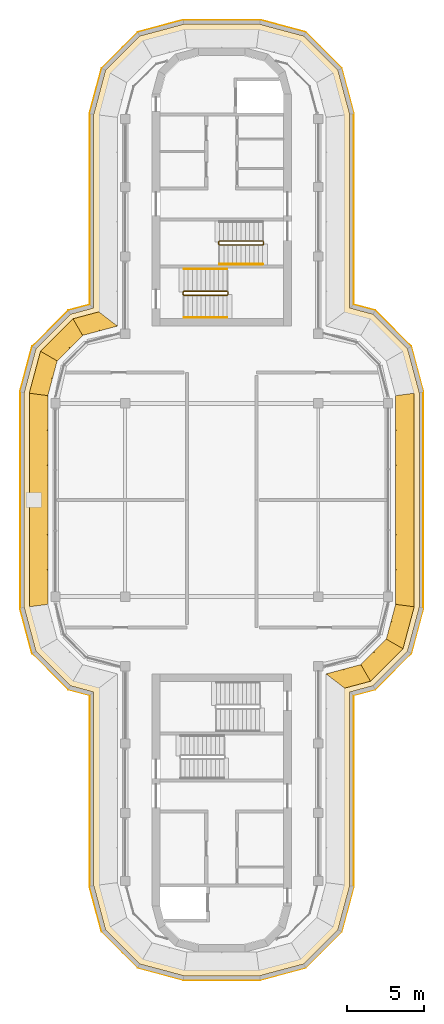
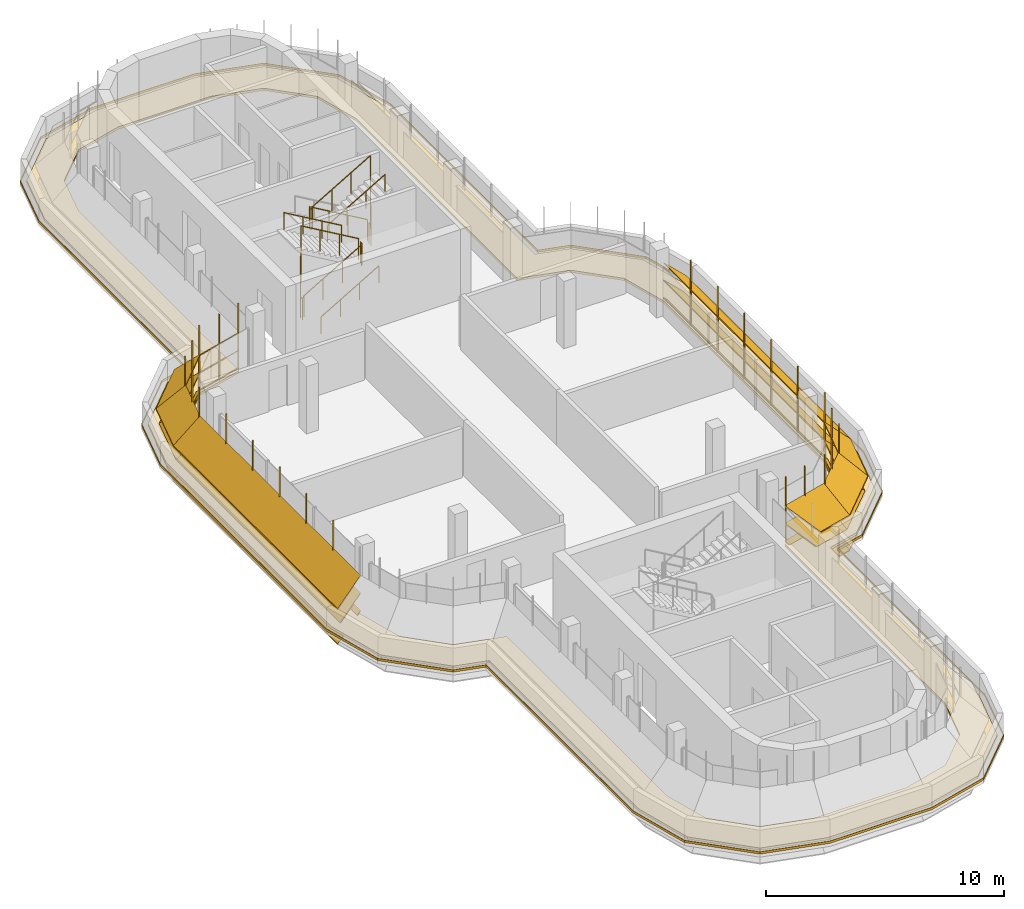
# One storey, part 12 of 13: 5 railings, 4 shading devices, 2 coverings.
"""IFC4 building model written with IfcOpenShell, lengths in metres."""

from ifc_helpers import new_model, si_unit, direction, frame, origin, origin_2d, place, context, subcontext, project, spatial, polyline, circle, outline, extrude, faceted_brep, source, transform, mapped, material, layer, layer_set, type_object, element, save


model = new_model("IFC4")

# Units and contexts
model_context = context("Model", 3, precision=1e-05, world=origin(), true_north=direction((0.0, 1.0)))
body_context = subcontext(model_context, "Body", "Model", "MODEL_VIEW")
ifc_project = project(units=[si_unit("LENGTHUNIT", "METRE"), si_unit("AREAUNIT", "SQUARE_METRE"), si_unit("VOLUMEUNIT", "CUBIC_METRE"), si_unit("PLANEANGLEUNIT", "RADIAN"), si_unit("MASSUNIT", "GRAM", prefix="KILO")], contexts=[model_context])

# Site, building, storey
site_placement = place(None, origin())
site = spatial("IfcSite", under=ifc_project, at=site_placement, CompositionType="ELEMENT")
building_placement = place(site_placement, origin())
building = spatial("IfcBuilding", under=site, at=building_placement, Name="Zarbagh Exchange Tower", CompositionType="ELEMENT")
storey_placement = place(building_placement, frame((0.0, 0.0, 302.39990234375)))
storey = spatial("IfcBuildingStorey", under=building, at=storey_placement, Name="L74", CompositionType="ELEMENT", Elevation=302.39990234375)

# Railings
ifc_material_1 = material(Name="Stainless steel", Category="steel")
railing_type_1 = type_object("IfcRailingType", Name="Stair guard 1100 mm", PredefinedType="GUARDRAIL", material=ifc_material_1)
railing_1_placement = place(storey_placement, frame((2.64990234375, 16.75, 0.163818359375)))
element("IfcRailing", 1, at=railing_1_placement, inside=storey, type_object=railing_type_1, Name="ST1 stair guard 1", PredefinedType="GUARDRAIL", context=body_context, shape_type="SweptSolid", body=[
    extrude(circle(Radius=0.02392578125, at=origin_2d()), frame((0.0, 0.0, 1.076171875), z_axis=(-0.863374499697, 0.0, 0.504563646405), x_axis=(0.0, -1.0, 0.0)), (0.0, 0.0, 1.0), 3.242919921875),
    extrude(circle(Radius=0.02392578125, at=origin_2d()), frame((-2.7998046875, 0.0, 2.71240234375), z_axis=(-0.707106781187, -0.707106781187, 0.0), x_axis=(0.707106781187, -0.707106781187, 0.0)), (0.0, 0.0, 1.0), 0.07080078125),
    extrude(circle(Radius=0.02392578125, at=origin_2d()), frame((-2.849853515625, -0.050048828125, 2.71240234375), z_axis=(0.0, -1.0, 0.0), x_axis=(1.0, 0.0, 0.0)), (0.0, 0.0, 1.0), 0.14990234375),
    extrude(circle(Radius=0.02392578125, at=origin_2d()), frame((-2.849853515625, -0.199951171875, 2.71240234375), z_axis=(0.280808744504, -0.280808744504, 0.917765164963), x_axis=(0.707106781187, 0.707106781187, 0.0)), (0.0, 0.0, 1.0), 0.17822265625),
    extrude(circle(Radius=0.02392578125, at=origin_2d()), frame((-2.7998046875, -0.25, 2.8759765625), z_axis=(0.863341702679, 0.0, 0.504619762213), x_axis=(0.0, 1.0, 0.0)), (0.0, 0.0, 1.0), 3.242919921875),
    extrude(circle(Radius=0.02392578125, at=origin_2d()), frame((0.0, -0.25, 4.51220703125), z_axis=(0.013899389096, 0.013899389096, -0.999806788317), x_axis=(-0.707106781187, 0.707106781187, 0.0)), (0.0, 0.0, 1.0), 3.600830078125),
    extrude(circle(Radius=0.02392578125, at=origin_2d()), frame((0.050048828125, -0.199951171875, 0.912109375), z_axis=(0.0, 1.0, 0.0), x_axis=(-1.0, 0.0, 0.0)), (0.0, 0.0, 1.0), 0.14990234375),
    extrude(circle(Radius=0.02099609375, at=origin_2d()), origin(), (0.0, 0.0, 1.0), 1.052001953125),
    extrude(circle(Radius=0.02099609375, at=origin_2d()), frame((-0.933349609375, 0.0, 0.54541015625)), (0.0, 0.0, 1.0), 1.052001953125),
    extrude(circle(Radius=0.02099609375, at=origin_2d()), frame((-1.866455078125, 0.0, 1.0908203125)), (0.0, 0.0, 1.0), 1.052001953125),
    extrude(circle(Radius=0.02099609375, at=origin_2d()), frame((-2.7998046875, 0.0, 1.63623046875)), (0.0, 0.0, 1.0), 1.052001953125),
    extrude(circle(Radius=0.02099609375, at=origin_2d()), frame((-2.849853515625, -0.050048828125, 1.63623046875)), (0.0, 0.0, 1.0), 1.052001953125),
    extrude(circle(Radius=0.02099609375, at=origin_2d()), frame((-2.849853515625, -0.199951171875, 1.63623046875)), (0.0, 0.0, 1.0), 1.052001953125),
    extrude(circle(Radius=0.02099609375, at=origin_2d()), frame((-2.7998046875, -0.25, 1.7998046875)), (0.0, 0.0, 1.0), 1.052001953125),
    extrude(circle(Radius=0.02099609375, at=origin_2d()), frame((-1.866455078125, -0.25, 2.34521484375)), (0.0, 0.0, 1.0), 1.052001953125),
    extrude(circle(Radius=0.02099609375, at=origin_2d()), frame((-0.933349609375, -0.25, 2.890869140625)), (0.0, 0.0, 1.0), 1.052001953125),
    extrude(circle(Radius=0.02099609375, at=origin_2d()), frame((0.0, -0.25, 3.436279296875)), (0.0, 0.0, 1.0), 1.052001953125),
    extrude(circle(Radius=0.02099609375, at=origin_2d()), frame((0.012451171875, -0.237548828125, 2.5361328125)), (0.0, 0.0, 1.0), 1.052001953125),
    extrude(circle(Radius=0.02099609375, at=origin_2d()), frame((0.02490234375, -0.22509765625, 1.63623046875)), (0.0, 0.0, 1.0), 1.052001953125),
    extrude(circle(Radius=0.02099609375, at=origin_2d()), frame((0.03759765625, -0.21240234375, 0.736328125)), (0.0, 0.0, 1.0), 1.052001953125),
    extrude(circle(Radius=0.02099609375, at=origin_2d()), frame((0.050048828125, -0.199951171875, -0.163818359375)), (0.0, 0.0, 1.0), 1.052001953125),
    extrude(circle(Radius=0.02099609375, at=origin_2d()), frame((0.050048828125, -0.050048828125, -0.163818359375)), (0.0, 0.0, 1.0), 1.052001953125),
])
railing_2_placement = place(storey_placement, frame((0.35009765625, 13.5, 1.963623046875)))
element("IfcRailing", 2, at=railing_2_placement, inside=storey, type_object=railing_type_1, Name="ST2 stair guard 1", PredefinedType="GUARDRAIL", context=body_context, shape_type="SweptSolid", body=[
    extrude(circle(Radius=0.02392578125, at=origin_2d()), frame((0.0, 0.0, 1.076171875), z_axis=(-0.863360870873, 0.0, 0.504586966384), x_axis=(0.0, -1.0, 0.0)), (0.0, 0.0, 1.0), 3.2431640625),
    extrude(circle(Radius=0.02392578125, at=origin_2d()), frame((-2.800048828125, 0.0, 2.71240234375), z_axis=(-0.013899389096, -0.013899389096, -0.999806788317), x_axis=(0.707106781187, -0.707106781187, 0.0)), (0.0, 0.0, 1.0), 3.600830078125),
    extrude(circle(Radius=0.02392578125, at=origin_2d()), frame((-2.85009765625, -0.050048828125, -0.8876953125), z_axis=(0.0, -1.0, 0.0), x_axis=(1.0, 0.0, 0.0)), (0.0, 0.0, 1.0), 0.14990234375),
    extrude(circle(Radius=0.02392578125, at=origin_2d()), frame((-2.85009765625, -0.199951171875, -0.8876953125), z_axis=(0.280456126637, -0.280456126637, 0.917980785237), x_axis=(0.707106781187, 0.707106781187, 0.0)), (0.0, 0.0, 1.0), 0.178466796875),
    extrude(circle(Radius=0.02392578125, at=origin_2d()), frame((-2.800048828125, -0.25, -0.7236328125), z_axis=(0.863393664356, 0.0, 0.504530851732), x_axis=(0.0, 1.0, 0.0)), (0.0, 0.0, 1.0), 3.2431640625),
    extrude(circle(Radius=0.02392578125, at=origin_2d()), frame((0.0, -0.25, 0.91259765625), z_axis=(0.705375805398, 0.708833529934, 0.0), x_axis=(-0.708833529934, 0.705375805398, 0.0)), (0.0, 0.0, 1.0), 0.070556640625),
    extrude(circle(Radius=0.02392578125, at=origin_2d()), frame((0.0498046875, -0.199951171875, 0.91259765625), z_axis=(0.0, 1.0, 0.0), x_axis=(-1.0, 0.0, 0.0)), (0.0, 0.0, 1.0), 0.14990234375),
    extrude(circle(Radius=0.02099609375, at=origin_2d()), origin(), (0.0, 0.0, 1.0), 1.052001953125),
    extrude(circle(Radius=0.02099609375, at=origin_2d()), frame((-0.933349609375, 0.0, 0.54541015625)), (0.0, 0.0, 1.0), 1.052001953125),
    extrude(circle(Radius=0.02099609375, at=origin_2d()), frame((-1.86669921875, 0.0, 1.091064453125)), (0.0, 0.0, 1.0), 1.052001953125),
    extrude(circle(Radius=0.02099609375, at=origin_2d()), frame((-2.800048828125, 0.0, 1.636474609375)), (0.0, 0.0, 1.0), 1.052001953125),
    extrude(circle(Radius=0.02099609375, at=origin_2d()), frame((-2.8125, -0.012451171875, 0.736328125)), (0.0, 0.0, 1.0), 1.052001953125),
    extrude(circle(Radius=0.02099609375, at=origin_2d()), frame((-2.8251953125, -0.02490234375, -0.16357421875)), (0.0, 0.0, 1.0), 1.052001953125),
    extrude(circle(Radius=0.02099609375, at=origin_2d()), frame((-2.837646484375, -0.03759765625, -1.0634765625)), (0.0, 0.0, 1.0), 1.052001953125),
    extrude(circle(Radius=0.02099609375, at=origin_2d()), frame((-2.85009765625, -0.050048828125, -1.963623046875)), (0.0, 0.0, 1.0), 1.052001953125),
    extrude(circle(Radius=0.02099609375, at=origin_2d()), frame((-2.85009765625, -0.199951171875, -1.963623046875)), (0.0, 0.0, 1.0), 1.052001953125),
    extrude(circle(Radius=0.02099609375, at=origin_2d()), frame((-2.800048828125, -0.25, -1.7998046875)), (0.0, 0.0, 1.0), 1.052001953125),
    extrude(circle(Radius=0.02099609375, at=origin_2d()), frame((-1.86669921875, -0.25, -1.25439453125)), (0.0, 0.0, 1.0), 1.052001953125),
    extrude(circle(Radius=0.02099609375, at=origin_2d()), frame((-0.933349609375, -0.25, -0.708984375)), (0.0, 0.0, 1.0), 1.052001953125),
    extrude(circle(Radius=0.02099609375, at=origin_2d()), frame((0.0, -0.25, -0.16357421875)), (0.0, 0.0, 1.0), 1.052001953125),
    extrude(circle(Radius=0.02099609375, at=origin_2d()), frame((0.0498046875, -0.199951171875, -0.16357421875)), (0.0, 0.0, 1.0), 1.052001953125),
    extrude(circle(Radius=0.02099609375, at=origin_2d()), frame((0.0498046875, -0.050048828125, -0.16357421875)), (0.0, 0.0, 1.0), 1.052001953125),
])
railing_type_2 = type_object("IfcRailingType", Name="Stair handrail 900 mm", PredefinedType="HANDRAIL", material=ifc_material_1)
railing_3_placement = place(storey_placement, frame((-0.14990234375, 15.25, 1.963623046875)))
element("IfcRailing", 3, at=railing_3_placement, inside=storey, type_object=railing_type_2, Name="ST1 stair handrail 2", PredefinedType="HANDRAIL", context=body_context, shape_type="SweptSolid", body=[
    extrude(circle(Radius=0.02392578125, at=origin_2d()), frame((0.0, 0.0, 0.8759765625), z_axis=(0.863341702679, 0.0, 0.504619762213), x_axis=(0.0, 1.0, 0.0)), (0.0, 0.0, 1.0), 3.242919921875),
    extrude(circle(Radius=0.02099609375, at=origin_2d()), origin(), (0.0, 0.0, 1.0), 0.851806640625),
    extrude(circle(Radius=0.02099609375, at=origin_2d()), frame((0.933349609375, 0.0, 0.54541015625)), (0.0, 0.0, 1.0), 0.851806640625),
    extrude(circle(Radius=0.02099609375, at=origin_2d()), frame((1.866455078125, 0.0, 1.091064453125)), (0.0, 0.0, 1.0), 0.851806640625),
    extrude(circle(Radius=0.02099609375, at=origin_2d()), frame((2.7998046875, 0.0, 1.636474609375)), (0.0, 0.0, 1.0), 0.851806640625),
])
railing_4_placement = place(storey_placement, frame((-2.449951171875, 11.800048828125, 0.163818359375)))
element("IfcRailing", 4, at=railing_4_placement, inside=storey, type_object=railing_type_2, Name="ST2 stair handrail 1", PredefinedType="HANDRAIL", context=body_context, shape_type="SweptSolid", body=[
    extrude(circle(Radius=0.02392578125, at=origin_2d()), frame((0.0, 0.0, 0.8759765625), z_axis=(0.863393664356, 0.0, 0.504530851732), x_axis=(0.0, 1.0, 0.0)), (0.0, 0.0, 1.0), 3.2431640625),
    extrude(circle(Radius=0.02099609375, at=origin_2d()), origin(), (0.0, 0.0, 1.0), 0.851806640625),
    extrude(circle(Radius=0.02099609375, at=origin_2d()), frame((0.933349609375, 0.0, 0.54541015625)), (0.0, 0.0, 1.0), 0.851806640625),
    extrude(circle(Radius=0.02099609375, at=origin_2d()), frame((1.86669921875, 0.0, 1.0908203125)), (0.0, 0.0, 1.0), 0.851806640625),
    extrude(circle(Radius=0.02099609375, at=origin_2d()), frame((2.800048828125, 0.0, 1.63623046875)), (0.0, 0.0, 1.0), 0.851806640625),
])
railing_5_placement = place(storey_placement, frame((0.35009765625, 14.949951171875, 1.963623046875)))
element("IfcRailing", 5, at=railing_5_placement, inside=storey, type_object=railing_type_2, Name="ST2 stair handrail 2", PredefinedType="HANDRAIL", context=body_context, shape_type="SweptSolid", body=[
    extrude(circle(Radius=0.02392578125, at=origin_2d()), frame((0.0, 0.0, 0.8759765625), z_axis=(-0.863360870873, 0.0, 0.504586966384), x_axis=(0.0, -1.0, 0.0)), (0.0, 0.0, 1.0), 3.2431640625),
    extrude(circle(Radius=0.02099609375, at=origin_2d()), origin(), (0.0, 0.0, 1.0), 0.851806640625),
    extrude(circle(Radius=0.02099609375, at=origin_2d()), frame((-0.933349609375, 0.0, 0.54541015625)), (0.0, 0.0, 1.0), 0.851806640625),
    extrude(circle(Radius=0.02099609375, at=origin_2d()), frame((-1.86669921875, 0.0, 1.091064453125)), (0.0, 0.0, 1.0), 0.851806640625),
    extrude(circle(Radius=0.02099609375, at=origin_2d()), frame((-2.800048828125, 0.0, 1.636474609375)), (0.0, 0.0, 1.0), 0.851806640625),
])

# Coverings
ifc_material_2 = material(Name="Bituminous membrane and screed")
ifc_layer = layer(ifc_material_2, 0.1201171875)
ifc_layer_set = layer_set([ifc_layer], Name="Terrace roofing build-up, waterproofing and screed")
covering_type = type_object("IfcCoveringType", Name="Terrace roofing build-up, waterproofing and screed", PredefinedType="ROOFING", material=ifc_layer_set)
covering_1_placement = place(storey_placement, origin())
element("IfcCovering", 6, at=covering_1_placement, inside=storey, type_object=covering_type, Name="crown roofing", PredefinedType="ROOFING", context=body_context, shape_type="SweptSolid", body=[
    extrude(outline(polyline([(-5.431640625, -30.260986328125), (-7.760986328125, -27.931640625), (-8.550048828125, -24.987060546875), (-8.550048828125, -12.631103515625), (-9.931640625, -12.260986328125), (-12.260986328125, -9.931640625), (-13.050048828125, -6.987060546875), (-13.050048828125, 6.987060546875), (-12.260986328125, 9.931640625), (-9.931640625, 12.260986328125), (-8.550048828125, 12.631103515625), (-8.550048828125, 24.987060546875), (-7.760986328125, 27.931640625), (-5.431640625, 30.260986328125), (-2.487060546875, 31.050048828125), (2.487060546875, 31.050048828125), (5.431640625, 30.260986328125), (7.760986328125, 27.931640625), (8.550048828125, 24.987060546875), (8.550048828125, 12.631103515625), (9.931640625, 12.260986328125), (12.260986328125, 9.931640625), (13.050048828125, 6.987060546875), (13.050048828125, -6.987060546875), (12.260986328125, -9.931640625), (9.931640625, -12.260986328125), (8.550048828125, -12.631103515625), (8.550048828125, -24.987060546875), (7.760986328125, -27.931640625), (5.431640625, -30.260986328125), (2.487060546875, -31.050048828125), (-2.487060546875, -31.050048828125), (-5.431640625, -30.260986328125)]), holes=[polyline([(-8.530029296875, -24.984375), (-7.742919921875, -27.92138671875), (-5.42138671875, -30.242919921875), (-2.484375, -31.030029296875), (2.484375, -31.030029296875), (5.42138671875, -30.242919921875), (7.742919921875, -27.92138671875), (8.530029296875, -24.984375), (8.530029296875, -12.61572265625), (9.92138671875, -12.242919921875), (12.242919921875, -9.92138671875), (13.030029296875, -6.984375), (13.030029296875, 6.984375), (12.242919921875, 9.92138671875), (9.92138671875, 12.242919921875), (8.530029296875, 12.61572265625), (8.530029296875, 24.984375), (7.742919921875, 27.92138671875), (5.42138671875, 30.242919921875), (2.484375, 31.030029296875), (-2.484375, 31.030029296875), (-5.42138671875, 30.242919921875), (-7.742919921875, 27.92138671875), (-8.530029296875, 24.984375), (-8.530029296875, 12.61572265625), (-9.92138671875, 12.242919921875), (-12.242919921875, 9.92138671875), (-13.030029296875, 6.984375), (-13.030029296875, -6.984375), (-12.242919921875, -9.92138671875), (-9.92138671875, -12.242919921875), (-8.530029296875, -12.61572265625), (-8.530029296875, -24.984375)])]), origin(), (0.0, 0.0, 1.0), 0.1201171875),
])
covering_2_placement = place(storey_placement, origin())
element("IfcCovering", 7, at=covering_2_placement, inside=storey, type_object=covering_type, Name="crown roofing", PredefinedType="ROOFING", context=body_context, shape_type="SweptSolid", body=[
    extrude(outline(polyline([(-2.451416015625, 30.780029296875), (2.451416015625, 30.780029296875), (5.2919921875, 30.018798828125), (7.518798828125, 27.7919921875), (8.280029296875, 24.951416015625), (8.280029296875, 12.424072265625), (9.7919921875, 12.018798828125), (12.018798828125, 9.7919921875), (12.780029296875, 6.951416015625), (12.780029296875, -6.951416015625), (12.018798828125, -9.7919921875), (9.7919921875, -12.018798828125), (8.280029296875, -12.424072265625), (8.280029296875, -24.951416015625), (7.518798828125, -27.7919921875), (5.2919921875, -30.018798828125), (2.451416015625, -30.780029296875), (-2.451416015625, -30.780029296875), (-5.2919921875, -30.018798828125), (-7.518798828125, -27.7919921875), (-8.280029296875, -24.951416015625), (-8.280029296875, -12.424072265625), (-9.7919921875, -12.018798828125), (-12.018798828125, -9.7919921875), (-12.780029296875, -6.951416015625), (-12.780029296875, 6.951416015625), (-12.018798828125, 9.7919921875), (-9.7919921875, 12.018798828125), (-8.280029296875, 12.424072265625), (-8.280029296875, 24.951416015625), (-7.518798828125, 27.7919921875), (-5.2919921875, 30.018798828125), (-2.451416015625, 30.780029296875)]), holes=[polyline([(6.147216796875, -27.0), (6.75, -24.75), (6.75, -11.25), (9.0, -10.647216796875), (10.647216796875, -9.0), (11.25, -6.75), (11.25, 6.75), (10.647216796875, 9.0), (9.0, 10.647216796875), (6.75, 11.25), (6.75, 24.75), (6.147216796875, 27.0), (4.5, 28.647216796875), (2.25, 29.25), (-2.25, 29.25), (-4.5, 28.647216796875), (-6.147216796875, 27.0), (-6.75, 24.75), (-6.75, 11.25), (-9.0, 10.647216796875), (-10.647216796875, 9.0), (-11.25, 6.75), (-11.25, -6.75), (-10.647216796875, -9.0), (-9.0, -10.647216796875), (-6.75, -11.25), (-6.75, -24.75), (-6.147216796875, -27.0), (-4.5, -28.647216796875), (-2.25, -29.25), (2.25, -29.25), (4.5, -28.647216796875), (6.147216796875, -27.0)])]), origin(), (0.0, 0.0, 1.0), 0.1201171875),
])

# Shading devices
ifc_material_3 = material(Name="Anodised aluminium blades and brackets", Category="aluminium")
shading_device_type = type_object("IfcShadingDeviceType", Name="SUNSHADE louvre band, 45 degree blades", PredefinedType="JALOUSIE", material=ifc_material_3)
shared_shape_1 = source(origin(), body_context, "Body", "Brep", [
    faceted_brep([(0.0, 0.0, 0.0), (0.0, 0.0, -0.056640625), (0.9208984375, -1.199951171875, -1.256591796875), (0.9208984375, -1.199951171875, -1.199951171875), (2.65087890625, -1.199951171875, -1.199951171875), (2.65087890625, -1.199951171875, -1.256591796875), (2.329345703125, 0.0, -0.056640625), (2.329345703125, 0.0, 0.0)], [[[0, 1, 2, 3]], [[4, 5, 6, 7]], [[0, 7, 6, 1]], [[1, 6, 5, 2]], [[2, 5, 4, 3]], [[3, 4, 7, 0]]]),
])
shared_shape_2 = source(origin(), body_context, "Body", "Brep", [
    faceted_brep([(0.0, 0.0, 0.0), (0.0, 0.0, -0.056640625), (-0.321533203125, -1.199951171875, -1.256591796875), (-0.321533203125, -1.199951171875, -1.199951171875), (2.65087890625, -1.199951171875, -1.199951171875), (2.65087890625, -1.199951171875, -1.256591796875), (2.329345703125, 0.0, -0.056640625), (2.329345703125, 0.0, 0.0)], [[[0, 1, 2, 3]], [[4, 5, 6, 7]], [[0, 7, 6, 1]], [[1, 6, 5, 2]], [[2, 5, 4, 3]], [[3, 4, 7, 0]]]),
])
shared_shape_3 = source(origin(), body_context, "Body", "Brep", [
    faceted_brep([(0.0, 0.0, 0.0), (0.0, 0.0, -0.056640625), (-0.321533203125, -1.199951171875, -1.256591796875), (-0.321533203125, -1.199951171875, -1.199951171875), (2.4873046875, -1.199951171875, -1.199951171875), (2.4873046875, -1.199951171875, -1.256591796875), (2.329345703125, 0.0, -0.056640625), (2.329345703125, 0.0, 0.0)], [[[0, 1, 2, 3]], [[4, 5, 6, 7]], [[0, 7, 6, 1]], [[1, 6, 5, 2]], [[2, 5, 4, 3]], [[3, 4, 7, 0]]]),
])
shared_shape_4 = source(origin(), body_context, "Body", "SweptSolid", [
    extrude(outline(polyline([(0.0, -0.012451171875), (0.06005859375, -0.012451171875), (0.06005859375, 0.012451171875), (0.0, 0.012451171875), (0.0, -0.012451171875)])), origin(), (0.0, 0.0, 1.0), 3.366455078125),
])
placement = place(storey_placement, origin())
element("IfcShadingDevice", 8, at=placement, inside=storey, type_object=shading_device_type, Name="SS03 sunshade band", PredefinedType="JALOUSIE", context=body_context, shape_type="MappedRepresentation", body=[
    mapped(shared_shape_1, transform((6.75, -11.25, 2.10009765625), x_axis=(0.965924289636, 0.258824779902, 0.0), y_axis=(-0.258824779902, 0.965924289636, 0.0), z_axis=(0.0, 0.0, 1.0))),
    mapped(shared_shape_1, transform((6.75, -11.25, 1.2001953125), x_axis=(0.965924289636, 0.258824779902, 0.0), y_axis=(-0.258824779902, 0.965924289636, 0.0), z_axis=(0.0, 0.0, 1.0))),
    mapped(shared_shape_1, transform((6.75, -11.25, 0.300048828125), x_axis=(0.965924289636, 0.258824779902, 0.0), y_axis=(-0.258824779902, 0.965924289636, 0.0), z_axis=(0.0, 0.0, 1.0))),
    mapped(shared_shape_2, transform((9.0, -10.647216796875, 2.10009765625), x_axis=(0.707106781187, 0.707106781187, 0.0), y_axis=(-0.707106781187, 0.707106781187, 0.0), z_axis=(0.0, 0.0, 1.0))),
    mapped(shared_shape_2, transform((9.0, -10.647216796875, 1.2001953125), x_axis=(0.707106781187, 0.707106781187, 0.0), y_axis=(-0.707106781187, 0.707106781187, 0.0), z_axis=(0.0, 0.0, 1.0))),
    mapped(shared_shape_2, transform((9.0, -10.647216796875, 0.300048828125), x_axis=(0.707106781187, 0.707106781187, 0.0), y_axis=(-0.707106781187, 0.707106781187, 0.0), z_axis=(0.0, 0.0, 1.0))),
    mapped(shared_shape_3, transform((10.647216796875, -9.0, 2.10009765625), x_axis=(0.258824779902, 0.965924289636, 0.0), y_axis=(-0.965924289636, 0.258824779902, 0.0), z_axis=(0.0, 0.0, 1.0))),
    mapped(shared_shape_3, transform((10.647216796875, -9.0, 1.2001953125), x_axis=(0.258824779902, 0.965924289636, 0.0), y_axis=(-0.965924289636, 0.258824779902, 0.0), z_axis=(0.0, 0.0, 1.0))),
    mapped(shared_shape_3, transform((10.647216796875, -9.0, 0.300048828125), x_axis=(0.258824779902, 0.965924289636, 0.0), y_axis=(-0.965924289636, 0.258824779902, 0.0), z_axis=(0.0, 0.0, 1.0))),
    mapped(shared_shape_4, transform((6.75, -11.25, 0.213623046875), x_axis=(0.793355287, -0.608758892, 0.0), y_axis=(0.608758892, 0.793355287, 0.0), z_axis=(0.0, 0.0, 1.0))),
    mapped(shared_shape_4, transform((7.875, -10.948486328125, 0.213623046875), x_axis=(0.258825058029, -0.96592421511, 0.0), y_axis=(0.96592421511, 0.258825058029, 0.0), z_axis=(0.0, 0.0, 1.0))),
    mapped(shared_shape_4, transform((9.0, -10.647216796875, 0.213623046875), x_axis=(0.50000275701, -0.866023812018, 0.0), y_axis=(0.866023812018, 0.50000275701, 0.0), z_axis=(0.0, 0.0, 1.0))),
    mapped(shared_shape_4, transform((9.823486328125, -9.823486328125, 0.213623046875), x_axis=(0.707106781187, -0.707106781187, 0.0), y_axis=(0.707106781187, 0.707106781187, 0.0), z_axis=(0.0, 0.0, 1.0))),
    mapped(shared_shape_4, transform((10.647216796875, -9.0, 0.213623046875), x_axis=(0.866023812018, -0.50000275701, 0.0), y_axis=(0.50000275701, 0.866023812018, 0.0), z_axis=(0.0, 0.0, 1.0))),
    mapped(shared_shape_4, transform((10.948486328125, -7.875, 0.213623046875), x_axis=(0.96592421511, -0.258825058029, 0.0), y_axis=(0.258825058029, 0.96592421511, 0.0), z_axis=(0.0, 0.0, 1.0))),
])
element("IfcShadingDevice", 9, at=placement, inside=storey, type_object=shading_device_type, Name="SS15 sunshade band", PredefinedType="JALOUSIE", context=body_context, shape_type="MappedRepresentation", body=[
    mapped(shared_shape_1, transform((-6.75, 11.25, 2.10009765625), x_axis=(-0.965924289636, -0.258824779902, 0.0), y_axis=(0.258824779902, -0.965924289636, 0.0), z_axis=(0.0, 0.0, 1.0))),
    mapped(shared_shape_1, transform((-6.75, 11.25, 1.2001953125), x_axis=(-0.965924289636, -0.258824779902, 0.0), y_axis=(0.258824779902, -0.965924289636, 0.0), z_axis=(0.0, 0.0, 1.0))),
    mapped(shared_shape_1, transform((-6.75, 11.25, 0.300048828125), x_axis=(-0.965924289636, -0.258824779902, 0.0), y_axis=(0.258824779902, -0.965924289636, 0.0), z_axis=(0.0, 0.0, 1.0))),
    mapped(shared_shape_2, transform((-9.0, 10.647216796875, 2.10009765625), x_axis=(-0.707106781187, -0.707106781187, 0.0), y_axis=(0.707106781187, -0.707106781187, 0.0), z_axis=(0.0, 0.0, 1.0))),
    mapped(shared_shape_2, transform((-9.0, 10.647216796875, 1.2001953125), x_axis=(-0.707106781187, -0.707106781187, 0.0), y_axis=(0.707106781187, -0.707106781187, 0.0), z_axis=(0.0, 0.0, 1.0))),
    mapped(shared_shape_2, transform((-9.0, 10.647216796875, 0.300048828125), x_axis=(-0.707106781187, -0.707106781187, 0.0), y_axis=(0.707106781187, -0.707106781187, 0.0), z_axis=(0.0, 0.0, 1.0))),
    mapped(shared_shape_3, transform((-10.647216796875, 9.0, 2.10009765625), x_axis=(-0.258824779902, -0.965924289636, 0.0), y_axis=(0.965924289636, -0.258824779902, 0.0), z_axis=(0.0, 0.0, 1.0))),
    mapped(shared_shape_3, transform((-10.647216796875, 9.0, 1.2001953125), x_axis=(-0.258824779902, -0.965924289636, 0.0), y_axis=(0.965924289636, -0.258824779902, 0.0), z_axis=(0.0, 0.0, 1.0))),
    mapped(shared_shape_3, transform((-10.647216796875, 9.0, 0.300048828125), x_axis=(-0.258824779902, -0.965924289636, 0.0), y_axis=(0.965924289636, -0.258824779902, 0.0), z_axis=(0.0, 0.0, 1.0))),
    mapped(shared_shape_4, transform((-6.75, 11.25, 0.213623046875), x_axis=(-0.793355287, 0.608758892, 0.0), y_axis=(-0.608758892, -0.793355287, 0.0), z_axis=(0.0, 0.0, 1.0))),
    mapped(shared_shape_4, transform((-7.875, 10.948486328125, 0.213623046875), x_axis=(-0.258825058029, 0.96592421511, 0.0), y_axis=(-0.96592421511, -0.258825058029, 0.0), z_axis=(0.0, 0.0, 1.0))),
    mapped(shared_shape_4, transform((-9.0, 10.647216796875, 0.213623046875), x_axis=(-0.50000275701, 0.866023812018, 0.0), y_axis=(-0.866023812018, -0.50000275701, 0.0), z_axis=(0.0, 0.0, 1.0))),
    mapped(shared_shape_4, transform((-9.823486328125, 9.823486328125, 0.213623046875), x_axis=(-0.707106781187, 0.707106781187, 0.0), y_axis=(-0.707106781187, -0.707106781187, 0.0), z_axis=(0.0, 0.0, 1.0))),
    mapped(shared_shape_4, transform((-10.647216796875, 9.0, 0.213623046875), x_axis=(-0.866023812018, 0.50000275701, 0.0), y_axis=(-0.50000275701, -0.866023812018, 0.0), z_axis=(0.0, 0.0, 1.0))),
    mapped(shared_shape_4, transform((-10.948486328125, 7.875, 0.213623046875), x_axis=(-0.96592421511, 0.258825058029, 0.0), y_axis=(-0.258825058029, -0.96592421511, 0.0), z_axis=(0.0, 0.0, 1.0))),
])
shared_shape_5 = source(origin(), body_context, "Body", "Brep", [
    faceted_brep([(0.0, 0.0, 0.0), (0.0, 0.0, -0.056640625), (-0.157958984375, -1.199951171875, -1.256591796875), (-0.157958984375, -1.199951171875, -1.199951171875), (13.657958984375, -1.199951171875, -1.199951171875), (13.657958984375, -1.199951171875, -1.256591796875), (13.5, 0.0, -0.056640625), (13.5, 0.0, 0.0)], [[[0, 1, 2, 3]], [[4, 5, 6, 7]], [[0, 7, 6, 1]], [[1, 6, 5, 2]], [[2, 5, 4, 3]], [[3, 4, 7, 0]]]),
])
element("IfcShadingDevice", 10, at=placement, inside=storey, type_object=shading_device_type, Name="SS70 sunshade band", PredefinedType="JALOUSIE", context=body_context, shape_type="MappedRepresentation", body=[
    mapped(shared_shape_5, transform((11.25, -6.75, 2.10009765625), x_axis=(0.0, 1.0, 0.0), y_axis=(-1.0, 0.0, 0.0), z_axis=(0.0, 0.0, 1.0))),
    mapped(shared_shape_5, transform((11.25, -6.75, 1.2001953125), x_axis=(0.0, 1.0, 0.0), y_axis=(-1.0, 0.0, 0.0), z_axis=(0.0, 0.0, 1.0))),
    mapped(shared_shape_5, transform((11.25, -6.75, 0.300048828125), x_axis=(0.0, 1.0, 0.0), y_axis=(-1.0, 0.0, 0.0), z_axis=(0.0, 0.0, 1.0))),
    mapped(shared_shape_4, transform((11.25, -6.75, 0.213623046875), x_axis=(0.991444457092, -0.130529263012, 0.0), y_axis=(0.130529263012, 0.991444457092, 0.0), z_axis=(0.0, 0.0, 1.0))),
    mapped(shared_shape_4, transform((11.25, -4.5, 0.213623046875), x_axis=(1.0, 0.0, 0.0), y_axis=(0.0, 1.0, 0.0), z_axis=(0.0, 0.0, 1.0))),
    mapped(shared_shape_4, transform((11.25, -2.25, 0.213623046875), x_axis=(1.0, 0.0, 0.0), y_axis=(0.0, 1.0, 0.0), z_axis=(0.0, 0.0, 1.0))),
    mapped(shared_shape_4, transform((11.25, 0.0, 0.213623046875), x_axis=(1.0, 0.0, 0.0), y_axis=(0.0, 1.0, 0.0), z_axis=(0.0, 0.0, 1.0))),
    mapped(shared_shape_4, transform((11.25, 2.25, 0.213623046875), x_axis=(1.0, 0.0, 0.0), y_axis=(0.0, 1.0, 0.0), z_axis=(0.0, 0.0, 1.0))),
    mapped(shared_shape_4, transform((11.25, 4.5, 0.213623046875), x_axis=(1.0, 0.0, 0.0), y_axis=(0.0, 1.0, 0.0), z_axis=(0.0, 0.0, 1.0))),
])
element("IfcShadingDevice", 11, at=placement, inside=storey, type_object=shading_device_type, Name="SS71 sunshade band", PredefinedType="JALOUSIE", context=body_context, shape_type="MappedRepresentation", body=[
    mapped(shared_shape_5, transform((-11.25, 6.75, 2.10009765625), x_axis=(0.0, -1.0, 0.0), y_axis=(1.0, 0.0, 0.0), z_axis=(0.0, 0.0, 1.0))),
    mapped(shared_shape_5, transform((-11.25, 6.75, 1.2001953125), x_axis=(0.0, -1.0, 0.0), y_axis=(1.0, 0.0, 0.0), z_axis=(0.0, 0.0, 1.0))),
    mapped(shared_shape_5, transform((-11.25, 6.75, 0.300048828125), x_axis=(0.0, -1.0, 0.0), y_axis=(1.0, 0.0, 0.0), z_axis=(0.0, 0.0, 1.0))),
    mapped(shared_shape_4, transform((-11.25, 6.75, 0.213623046875), x_axis=(-0.991444457092, 0.130529263012, 0.0), y_axis=(-0.130529263012, -0.991444457092, 0.0), z_axis=(0.0, 0.0, 1.0))),
    mapped(shared_shape_4, transform((-11.25, 4.5, 0.213623046875), x_axis=(-1.0, 0.0, 0.0), y_axis=(0.0, -1.0, 0.0), z_axis=(0.0, 0.0, 1.0))),
    mapped(shared_shape_4, transform((-11.25, 2.25, 0.213623046875), x_axis=(-1.0, 0.0, 0.0), y_axis=(0.0, -1.0, 0.0), z_axis=(0.0, 0.0, 1.0))),
    mapped(shared_shape_4, transform((-11.25, 0.0, 0.213623046875), x_axis=(-1.0, 0.0, 0.0), y_axis=(0.0, -1.0, 0.0), z_axis=(0.0, 0.0, 1.0))),
    mapped(shared_shape_4, transform((-11.25, -2.25, 0.213623046875), x_axis=(-1.0, 0.0, 0.0), y_axis=(0.0, -1.0, 0.0), z_axis=(0.0, 0.0, 1.0))),
    mapped(shared_shape_4, transform((-11.25, -4.5, 0.213623046875), x_axis=(-1.0, 0.0, 0.0), y_axis=(0.0, -1.0, 0.0), z_axis=(0.0, 0.0, 1.0))),
])

save(model, "model.ifc")
